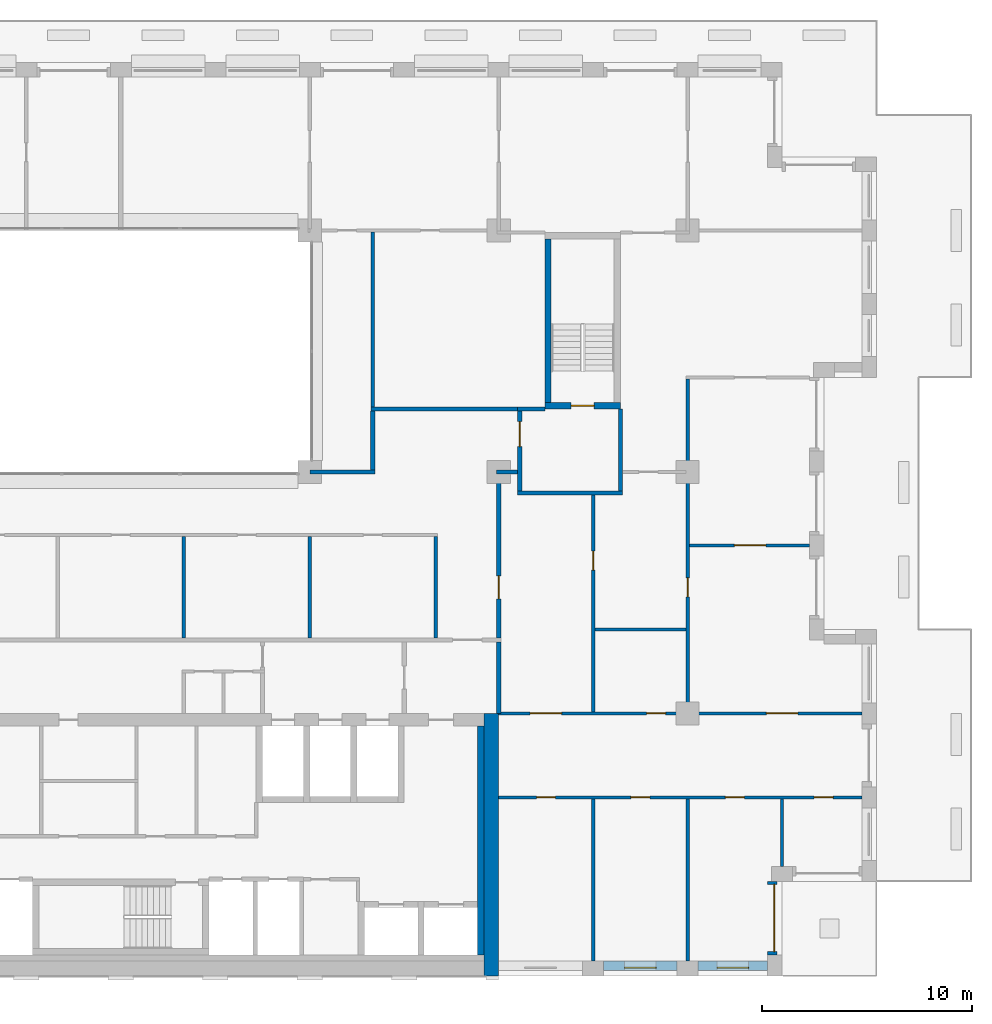
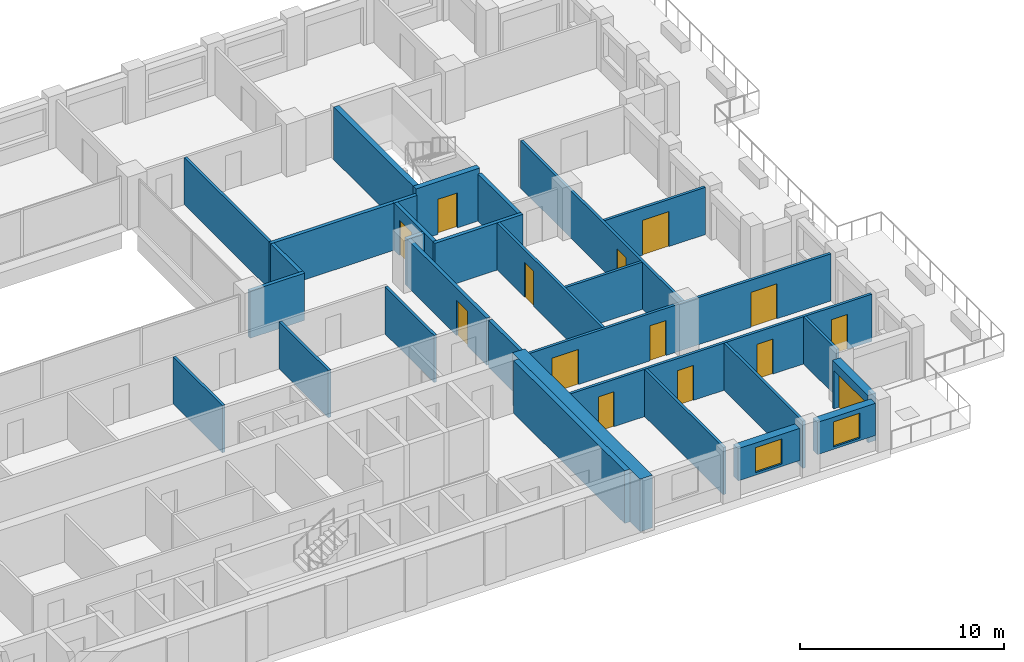
# One storey, part 11 of 17: 30 walls, 14 doors, 2 windows, 16 openings.
"""IFC4 building model written with IfcOpenShell, lengths in metres."""

from ifc_helpers import new_model, si_unit, direction, frame, frame_2d, origin, place, context, subcontext, project, spatial, rectangle, extrude, material, layer, layer_set, type_object, element, fill, save


model = new_model("IFC4")

# Units and contexts
model_context = context("Model", 3, precision=1e-05, world=origin(), true_north=direction((0.0, 1.0)))
body_context = subcontext(model_context, "Body", "Model", "MODEL_VIEW")
ifc_project = project(units=[si_unit("LENGTHUNIT", "METRE"), si_unit("AREAUNIT", "SQUARE_METRE"), si_unit("VOLUMEUNIT", "CUBIC_METRE"), si_unit("PLANEANGLEUNIT", "RADIAN"), si_unit("MASSUNIT", "GRAM", prefix="KILO")], contexts=[model_context])

# Site, building, storey
site_placement = place(None, origin())
site = spatial("IfcSite", under=ifc_project, at=site_placement, CompositionType="ELEMENT")
building_placement = place(site_placement, origin())
building = spatial("IfcBuilding", under=site, at=building_placement, Name="Brigalow Station Residences", CompositionType="ELEMENT")
storey_placement = place(building_placement, frame((0.0, 0.0, 141.300048828125)))
storey = spatial("IfcBuildingStorey", under=building, at=storey_placement, Name="L40", CompositionType="ELEMENT", Elevation=141.300048828125)

# Wall, opening, window
ifc_material_1 = material(Name="Clay brick masonry", Category="masonry")
ifc_layer_1 = layer(ifc_material_1, 0.449951171875)
ifc_layer_set_1 = layer_set([ifc_layer_1], Name="BRICK INFILL WALL 450")
wall_type_1 = type_object("IfcWallType", Name="BRICK INFILL WALL 450", PredefinedType="SOLIDWALL", material=ifc_layer_set_1)
wall_1_placement = place(storey_placement, frame((59.0, 0.47509765625, 0.89990234375), z_axis=(0.0, 0.0, 1.0), x_axis=(1.0, 0.0, 0.0)))
wall_1 = element("IfcWall", 1, at=wall_1_placement, inside=storey, type_object=wall_type_1, Name="L40/ewall/W-L40-5", PredefinedType="SOLIDWALL", context=body_context, shape_type="SweptSolid", body=[
    extrude(rectangle(XDim=3.5, YDim=0.449951171875, at=frame_2d((1.75, 0.0))), origin(), (0.0, 0.0, 1.0), 1.929931640625),
])
opening_1_placement = place(wall_1_placement, frame((1.0, 0.0, 0.14990234375)))
opening_1 = element("IfcOpeningElement", 2, at=opening_1_placement, cuts=wall_1, Name="Opening WT-1", PredefinedType="OPENING", context=body_context, shape_type="SweptSolid", body=[
    extrude(rectangle(XDim=1.5, YDim=1.5, at=frame_2d((0.75, 0.75))), frame((0.0, 0.23486328125, 0.0), z_axis=(0.0, -1.0, 0.0), x_axis=(1.0, 0.0, 0.0)), (0.0, 0.0, 1.0), 0.469970703125),
])
ifc_material_2 = material(Name="Anodised aluminium frame with double glazing", Category="aluminium")
window_type = type_object("IfcWindowType", Name="WINDOW 1500x1500", PartitioningType="SINGLE_PANEL", PredefinedType="WINDOW", material=ifc_material_2)
window_1_placement = place(opening_1_placement, origin())
window_1 = element("IfcWindow", 3, at=window_1_placement, inside=storey, type_object=window_type, Name="L40/window/W-L40-5", OverallHeight=1.5, OverallWidth=1.5, PartitioningType="SINGLE_PANEL", PredefinedType="WINDOW", context=body_context, shape_type="SweptSolid", body=[
    extrude(rectangle(XDim=1.5, YDim=1.5, at=frame_2d((0.75, 0.75))), frame((0.0, -0.06494140625, 0.0), z_axis=(0.0, -1.0, 0.0), x_axis=(1.0, 0.0, 0.0)), (0.0, 0.0, 1.0), 0.06005859375),
])
fill(opening_1, window_1)

wall_2_placement = place(storey_placement, frame((63.5, 0.47509765625, 0.89990234375), z_axis=(0.0, 0.0, 1.0), x_axis=(1.0, 0.0, 0.0)))
wall_2 = element("IfcWall", 4, at=wall_2_placement, inside=storey, type_object=wall_type_1, Name="L40/ewall/W-L40-6", PredefinedType="SOLIDWALL", context=body_context, shape_type="SweptSolid", body=[
    extrude(rectangle(XDim=3.300048828125, YDim=0.449951171875, at=frame_2d((1.64990234375, 0.0))), origin(), (0.0, 0.0, 1.0), 1.929931640625),
])
opening_2_placement = place(wall_2_placement, frame((0.89990234375, 0.0, 0.14990234375)))
opening_2 = element("IfcOpeningElement", 5, at=opening_2_placement, cuts=wall_2, Name="Opening WT-1", PredefinedType="OPENING", context=body_context, shape_type="SweptSolid", body=[
    extrude(rectangle(XDim=1.5, YDim=1.5, at=frame_2d((0.75, 0.75))), frame((0.0, 0.23486328125, 0.0), z_axis=(0.0, -1.0, 0.0), x_axis=(1.0, 0.0, 0.0)), (0.0, 0.0, 1.0), 0.469970703125),
])
window_2_placement = place(opening_2_placement, origin())
window_2 = element("IfcWindow", 6, at=window_2_placement, inside=storey, type_object=window_type, Name="L40/window/W-L40-6", OverallHeight=1.5, OverallWidth=1.5, PartitioningType="SINGLE_PANEL", PredefinedType="WINDOW", context=body_context, shape_type="SweptSolid", body=[
    extrude(rectangle(XDim=1.5, YDim=1.5, at=frame_2d((0.75, 0.75))), frame((0.0, -0.06494140625, 0.0), z_axis=(0.0, -1.0, 0.0), x_axis=(1.0, 0.0, 0.0)), (0.0, 0.0, 1.0), 0.06005859375),
])
fill(opening_2, window_2)

# Wall, opening, door
wall_3_placement = place(storey_placement, frame((67.02490234375, 1.0, 0.0), z_axis=(0.0, 0.0, 1.0), x_axis=(0.0, 1.0, 0.0)))
wall_3 = element("IfcWall", 7, at=wall_3_placement, inside=storey, type_object=wall_type_1, Name="L40/ewall/W-L40-7", PredefinedType="SOLIDWALL", context=body_context, shape_type="SweptSolid", body=[
    extrude(rectangle(XDim=3.5, YDim=0.449951171875, at=frame_2d((1.75, 0.0))), origin(), (0.0, 0.0, 1.0), 2.829833984375),
])
opening_3_placement = place(wall_3_placement, frame((0.14990234375, 0.0, 0.0)))
opening_3 = element("IfcOpeningElement", 8, at=opening_3_placement, cuts=wall_3, Name="Opening D-B3200", PredefinedType="OPENING", context=body_context, shape_type="SweptSolid", body=[
    extrude(rectangle(XDim=3.199951171875, YDim=2.300048828125, at=frame_2d((1.60009765625, 1.14990234375))), frame((0.0, 0.23486328125, 0.0), z_axis=(0.0, -1.0, 0.0), x_axis=(1.0, 0.0, 0.0)), (0.0, 0.0, 1.0), 0.469970703125),
])
ifc_material_3 = material(Name="Anodised aluminium frame with double glazing", Category="aluminium")
door_type_1 = type_object("IfcDoorType", Name="BALCONY SLIDING DOOR 3200x2300", OperationType="SLIDING_TO_LEFT", PredefinedType="DOOR", material=ifc_material_3)
door_1_placement = place(opening_3_placement, origin())
door_1 = element("IfcDoor", 9, at=door_1_placement, inside=storey, type_object=door_type_1, Name="L40/balcony-door/W-L40-7", OperationType="SLIDING_TO_LEFT", OverallHeight=2.300048828125, OverallWidth=3.199951171875, PredefinedType="DOOR", context=body_context, shape_type="SweptSolid", body=[
    extrude(rectangle(XDim=3.199951171875, YDim=2.300048828125, at=frame_2d((1.60009765625, 1.14990234375))), frame((0.0, -0.06982421875, 0.0), z_axis=(0.0, -1.0, 0.0), x_axis=(1.0, 0.0, 0.0)), (0.0, 0.0, 1.0), 0.050048828125),
])
fill(opening_3, door_1)

# Wall
ifc_material_4 = material(Name="Concrete C65", Category="concrete")
ifc_layer_2 = layer(ifc_material_4, 0.300048828125)
ifc_layer_set_2 = layer_set([ifc_layer_2], Name="CORE SHEAR WALL 300 C65")
wall_type_2 = type_object("IfcWallType", Name="CORE SHEAR WALL 300 C65", PredefinedType="SHEAR", material=ifc_layer_set_2)
wall_4_placement = place(storey_placement, frame((53.14990234375, 1.0, 0.0), z_axis=(0.0, 0.0, 1.0), x_axis=(0.0, 1.0, 0.0)))
element("IfcWall", 10, at=wall_4_placement, inside=storey, type_object=wall_type_2, Name="CORE WALL LIN-E L40", PredefinedType="SHEAR", context=body_context, shape_type="SweptSolid", body=[
    extrude(rectangle(XDim=10.89990234375, YDim=0.300048828125, at=frame_2d((5.449951171875, 0.0))), origin(), (0.0, 0.0, 1.0), 3.14990234375),
])

# Wall, opening, door
wall_5_placement = place(storey_placement, frame((56.199951171875, 27.14990234375, 0.0), z_axis=(0.0, 0.0, 1.0), x_axis=(1.0, 0.0, 0.0)))
wall_5 = element("IfcWall", 11, at=wall_5_placement, inside=storey, type_object=wall_type_2, Name="CORE WALL ST-S3-S L40", PredefinedType="SHEAR", context=body_context, shape_type="SweptSolid", body=[
    extrude(rectangle(XDim=3.60009765625, YDim=0.300048828125, at=frame_2d((1.800048828125, 0.0))), origin(), (0.0, 0.0, 1.0), 3.14990234375),
])
opening_4_placement = place(wall_5_placement, frame((1.25, 0.0, 0.0)))
opening_4 = element("IfcOpeningElement", 12, at=opening_4_placement, cuts=wall_5, Name="Opening D-5018", PredefinedType="OPENING", context=body_context, shape_type="SweptSolid", body=[
    extrude(rectangle(XDim=1.10009765625, YDim=2.10009765625, at=frame_2d((0.550048828125, 1.050048828125))), frame((0.0, 0.16015625, 0.0), z_axis=(0.0, -1.0, 0.0), x_axis=(1.0, 0.0, 0.0)), (0.0, 0.0, 1.0), 0.320068359375),
])
ifc_material_5 = material(Name="Steel fire door leaf in steel frame", Category="steel")
door_type_2 = type_object("IfcDoorType", Name="STAIR DOOR 1100 x 2100 FD60S", OperationType="SINGLE_SWING_LEFT", PredefinedType="DOOR", material=ifc_material_5)
door_2_placement = place(opening_4_placement, origin())
door_2 = element("IfcDoor", 13, at=door_2_placement, inside=storey, type_object=door_type_2, Name="D-5018", OperationType="SINGLE_SWING_LEFT", OverallHeight=2.10009765625, OverallWidth=1.10009765625, PredefinedType="DOOR", context=body_context, shape_type="SweptSolid", body=[
    extrude(rectangle(XDim=1.10009765625, YDim=2.10009765625, at=frame_2d((0.550048828125, 1.050048828125))), frame((0.0, 0.02490234375, 0.0), z_axis=(0.0, -1.0, 0.0), x_axis=(1.0, 0.0, 0.0)), (0.0, 0.0, 1.0), 0.050048828125),
])
fill(opening_4, door_2)

# Walls
wall_6_placement = place(storey_placement, frame((56.35009765625, 27.300048828125, 0.0), z_axis=(0.0, 0.0, 1.0), x_axis=(0.0, 1.0, 0.0)))
element("IfcWall", 14, at=wall_6_placement, inside=storey, type_object=wall_type_2, Name="CORE WALL ST-S3-W L40", PredefinedType="SHEAR", context=body_context, shape_type="SweptSolid", body=[
    extrude(rectangle(XDim=7.800048828125, YDim=0.300048828125, at=frame_2d((3.89990234375, 0.0))), origin(), (0.0, 0.0, 1.0), 3.14990234375),
])
ifc_material_6 = material(Name="Concrete C65", Category="concrete")
ifc_layer_3 = layer(ifc_material_6, 0.699951171875)
ifc_layer_set_3 = layer_set([ifc_layer_3], Name="CORE SHEAR WALL 700 C65")
wall_type_3 = type_object("IfcWallType", Name="CORE SHEAR WALL 700 C65", PredefinedType="SHEAR", material=ifc_layer_set_3)
wall_7_placement = place(storey_placement, frame((53.64990234375, 0.0, 0.0), z_axis=(0.0, 0.0, 1.0), x_axis=(0.0, 1.0, 0.0)))
element("IfcWall", 15, at=wall_7_placement, inside=storey, type_object=wall_type_3, Name="CORE WALL OUT-E L40", PredefinedType="SHEAR", context=body_context, shape_type="SweptSolid", body=[
    extrude(rectangle(XDim=12.5, YDim=0.699951171875, at=frame_2d((6.25, 0.0))), origin(), (0.0, 0.0, 1.0), 3.14990234375),
])
ifc_material_7 = material(Name="Concrete blockwork", Category="masonry")
ifc_layer_4 = layer(ifc_material_7, 0.199951171875)
ifc_layer_set_4 = layer_set([ifc_layer_4], Name="FIRE RATED CORE PARTITION 200")
wall_type_4 = type_object("IfcWallType", Name="FIRE RATED CORE PARTITION 200", PredefinedType="PARTITIONING", material=ifc_layer_set_4)
wall_8_placement = place(storey_placement, frame((54.89990234375, 23.0, 0.0), z_axis=(0.0, 0.0, 1.0), x_axis=(1.0, 0.0, 0.0)))
element("IfcWall", 16, at=wall_8_placement, inside=storey, type_object=wall_type_4, Name="PW-5024", PredefinedType="PARTITIONING", context=body_context, shape_type="SweptSolid", body=[
    extrude(rectangle(XDim=5.0, YDim=0.199951171875, at=frame_2d((2.5, 0.0))), origin(), (0.0, 0.0, 1.0), 2.829833984375),
])
wall_9_placement = place(storey_placement, frame((54.89990234375, 27.0, 0.0), z_axis=(0.0, 0.0, 1.0), x_axis=(1.0, 0.0, 0.0)))
element("IfcWall", 17, at=wall_9_placement, inside=storey, type_object=wall_type_4, Name="PW-5026", PredefinedType="PARTITIONING", context=body_context, shape_type="SweptSolid", body=[
    extrude(rectangle(XDim=1.300048828125, YDim=0.199951171875, at=frame_2d((0.64990234375, 0.0))), origin(), (0.0, 0.0, 1.0), 2.829833984375),
])
wall_10_placement = place(storey_placement, frame((54.0, 12.5, 0.0), z_axis=(0.0, 0.0, 1.0), x_axis=(0.0, 1.0, 0.0)))
element("IfcWall", 18, at=wall_10_placement, inside=storey, type_object=wall_type_4, Name="PW-5016", PredefinedType="PARTITIONING", context=body_context, shape_type="SweptSolid", body=[
    extrude(rectangle(XDim=3.39990234375, YDim=0.199951171875, at=frame_2d((1.699951171875, 0.0))), origin(), (0.0, 0.0, 1.0), 2.829833984375),
])

# Wall, opening, door
wall_11_placement = place(storey_placement, frame((55.0, 23.10009765625, 0.0), z_axis=(0.0, 0.0, 1.0), x_axis=(0.0, 1.0, 0.0)))
wall_11 = element("IfcWall", 19, at=wall_11_placement, inside=storey, type_object=wall_type_4, Name="PW-5036", PredefinedType="PARTITIONING", context=body_context, shape_type="SweptSolid", body=[
    extrude(rectangle(XDim=3.7998046875, YDim=0.199951171875, at=frame_2d((1.89990234375, 0.0))), origin(), (0.0, 0.0, 1.0), 2.829833984375),
])
opening_5_placement = place(wall_11_placement, frame((2.10009765625, 0.0, 0.0)))
opening_5 = element("IfcOpeningElement", 20, at=opening_5_placement, cuts=wall_11, Name="Opening D-5019", PredefinedType="OPENING", context=body_context, shape_type="SweptSolid", body=[
    extrude(rectangle(XDim=1.199951171875, YDim=2.10009765625, at=frame_2d((0.60009765625, 1.050048828125))), frame((0.0, 0.10986328125, 0.0), z_axis=(0.0, -1.0, 0.0), x_axis=(1.0, 0.0, 0.0)), (0.0, 0.0, 1.0), 0.219970703125),
])
ifc_material_8 = material(Name="Steel fire door leaf in steel frame", Category="steel")
door_type_3 = type_object("IfcDoorType", Name="STAIR LOBBY DOOR 1200 x 2100 FD60S", OperationType="SINGLE_SWING_LEFT", PredefinedType="DOOR", material=ifc_material_8)
door_3_placement = place(opening_5_placement, frame((1.199951171875, 0.0, 0.0), z_axis=(0.0, 0.0, 1.0), x_axis=(-1.0, 0.0, 0.0)))
door_3 = element("IfcDoor", 21, at=door_3_placement, inside=storey, type_object=door_type_3, Name="D-5019", OperationType="SINGLE_SWING_LEFT", OverallHeight=2.10009765625, OverallWidth=1.199951171875, PredefinedType="DOOR", context=body_context, shape_type="SweptSolid", body=[
    extrude(rectangle(XDim=1.199951171875, YDim=2.10009765625, at=frame_2d((0.60009765625, 1.050048828125))), frame((0.0, 0.02490234375, 0.0), z_axis=(0.0, -1.0, 0.0), x_axis=(1.0, 0.0, 0.0)), (0.0, 0.0, 1.0), 0.050048828125),
])
fill(opening_5, door_3)

# Wall
wall_12_placement = place(storey_placement, frame((59.800048828125, 23.10009765625, 0.0), z_axis=(0.0, 0.0, 1.0), x_axis=(0.0, 1.0, 0.0)))
element("IfcWall", 22, at=wall_12_placement, inside=storey, type_object=wall_type_4, Name="PW-5037", PredefinedType="PARTITIONING", context=body_context, shape_type="SweptSolid", body=[
    extrude(rectangle(XDim=3.89990234375, YDim=0.199951171875, at=frame_2d((1.949951171875, 0.0))), origin(), (0.0, 0.0, 1.0), 2.829833984375),
])

# Wall, openings, doors
ifc_material_9 = material(Name="Plasterboard on steel stud partition", Category="steel")
ifc_layer_5 = layer(ifc_material_9, 0.14990234375)
ifc_layer_set_5 = layer_set([ifc_layer_5], Name="FLAT PARTITION 150")
wall_type_5 = type_object("IfcWallType", Name="FLAT PARTITION 150", PredefinedType="PARTITIONING", material=ifc_layer_set_5)
wall_13_placement = place(storey_placement, frame((54.0, 8.5, 0.0), z_axis=(0.0, 0.0, 1.0), x_axis=(1.0, 0.0, 0.0)))
wall_13 = element("IfcWall", 23, at=wall_13_placement, inside=storey, type_object=wall_type_5, Name="PW-3A10", PredefinedType="PARTITIONING", context=body_context, shape_type="SweptSolid", body=[
    extrude(rectangle(XDim=17.300048828125, YDim=0.14990234375, at=frame_2d((8.64990234375, 0.0))), origin(), (0.0, 0.0, 1.0), 2.829833984375),
])
opening_6_placement = place(wall_13_placement, frame((1.800048828125, 0.0, 0.0)))
opening_6 = element("IfcOpeningElement", 24, at=opening_6_placement, cuts=wall_13, Name="Opening D-3A21", PredefinedType="OPENING", context=body_context, shape_type="SweptSolid", body=[
    extrude(rectangle(XDim=0.89990234375, YDim=2.10009765625, at=frame_2d((0.449951171875, 1.050048828125))), frame((0.0, 0.0849609375, 0.0), z_axis=(0.0, -1.0, 0.0), x_axis=(1.0, 0.0, 0.0)), (0.0, 0.0, 1.0), 0.169921875),
])
opening_7_placement = place(wall_13_placement, frame((6.300048828125, 0.0, 0.0)))
opening_7 = element("IfcOpeningElement", 25, at=opening_7_placement, cuts=wall_13, Name="Opening D-3A22", PredefinedType="OPENING", context=body_context, shape_type="SweptSolid", body=[
    extrude(rectangle(XDim=0.89990234375, YDim=2.10009765625, at=frame_2d((0.449951171875, 1.050048828125))), frame((0.0, 0.0849609375, 0.0), z_axis=(0.0, -1.0, 0.0), x_axis=(1.0, 0.0, 0.0)), (0.0, 0.0, 1.0), 0.169921875),
])
opening_8_placement = place(wall_13_placement, frame((10.800048828125, 0.0, 0.0)))
opening_8 = element("IfcOpeningElement", 26, at=opening_8_placement, cuts=wall_13, Name="Opening D-3A23", PredefinedType="OPENING", context=body_context, shape_type="SweptSolid", body=[
    extrude(rectangle(XDim=0.89990234375, YDim=2.10009765625, at=frame_2d((0.449951171875, 1.050048828125))), frame((0.0, 0.0849609375, 0.0), z_axis=(0.0, -1.0, 0.0), x_axis=(1.0, 0.0, 0.0)), (0.0, 0.0, 1.0), 0.169921875),
])
opening_9_placement = place(wall_13_placement, frame((15.02490234375, 0.0, 0.0)))
opening_9 = element("IfcOpeningElement", 27, at=opening_9_placement, cuts=wall_13, Name="Opening D-3A24", PredefinedType="OPENING", context=body_context, shape_type="SweptSolid", body=[
    extrude(rectangle(XDim=0.89990234375, YDim=2.10009765625, at=frame_2d((0.449951171875, 1.050048828125))), frame((0.0, 0.0849609375, 0.0), z_axis=(0.0, -1.0, 0.0), x_axis=(1.0, 0.0, 0.0)), (0.0, 0.0, 1.0), 0.169921875),
])
ifc_material_10 = material(Name="Solid-core timber door leaf", Category="wood")
door_type_4 = type_object("IfcDoorType", Name="INTERNAL DOOR 900 x 2100", OperationType="SINGLE_SWING_LEFT", PredefinedType="DOOR", material=ifc_material_10)
door_4_placement = place(opening_6_placement, frame((0.89990234375, 0.0, 0.0), z_axis=(0.0, 0.0, 1.0), x_axis=(-1.0, 0.0, 0.0)))
door_4 = element("IfcDoor", 28, at=door_4_placement, inside=storey, type_object=door_type_4, Name="D-3A21", OperationType="SINGLE_SWING_LEFT", OverallHeight=2.10009765625, OverallWidth=0.89990234375, PredefinedType="DOOR", context=body_context, shape_type="SweptSolid", body=[
    extrude(rectangle(XDim=0.89990234375, YDim=2.10009765625, at=frame_2d((0.449951171875, 1.050048828125))), frame((0.0, 0.02490234375, 0.0), z_axis=(0.0, -1.0, 0.0), x_axis=(1.0, 0.0, 0.0)), (0.0, 0.0, 1.0), 0.050048828125),
])
fill(opening_6, door_4)
door_5_placement = place(opening_7_placement, frame((0.89990234375, 0.0, 0.0), z_axis=(0.0, 0.0, 1.0), x_axis=(-1.0, 0.0, 0.0)))
door_5 = element("IfcDoor", 29, at=door_5_placement, inside=storey, type_object=door_type_4, Name="D-3A22", OperationType="SINGLE_SWING_LEFT", OverallHeight=2.10009765625, OverallWidth=0.89990234375, PredefinedType="DOOR", context=body_context, shape_type="SweptSolid", body=[
    extrude(rectangle(XDim=0.89990234375, YDim=2.10009765625, at=frame_2d((0.449951171875, 1.050048828125))), frame((0.0, 0.02490234375, 0.0), z_axis=(0.0, -1.0, 0.0), x_axis=(1.0, 0.0, 0.0)), (0.0, 0.0, 1.0), 0.050048828125),
])
fill(opening_7, door_5)
door_6_placement = place(opening_8_placement, frame((0.89990234375, 0.0, 0.0), z_axis=(0.0, 0.0, 1.0), x_axis=(-1.0, 0.0, 0.0)))
door_6 = element("IfcDoor", 30, at=door_6_placement, inside=storey, type_object=door_type_4, Name="D-3A23", OperationType="SINGLE_SWING_LEFT", OverallHeight=2.10009765625, OverallWidth=0.89990234375, PredefinedType="DOOR", context=body_context, shape_type="SweptSolid", body=[
    extrude(rectangle(XDim=0.89990234375, YDim=2.10009765625, at=frame_2d((0.449951171875, 1.050048828125))), frame((0.0, 0.02490234375, 0.0), z_axis=(0.0, -1.0, 0.0), x_axis=(1.0, 0.0, 0.0)), (0.0, 0.0, 1.0), 0.050048828125),
])
fill(opening_8, door_6)
door_7_placement = place(opening_9_placement, frame((0.89990234375, 0.0, 0.0), z_axis=(0.0, 0.0, 1.0), x_axis=(-1.0, 0.0, 0.0)))
door_7 = element("IfcDoor", 31, at=door_7_placement, inside=storey, type_object=door_type_4, Name="D-3A24", OperationType="SINGLE_SWING_LEFT", OverallHeight=2.10009765625, OverallWidth=0.89990234375, PredefinedType="DOOR", context=body_context, shape_type="SweptSolid", body=[
    extrude(rectangle(XDim=0.89990234375, YDim=2.10009765625, at=frame_2d((0.449951171875, 1.050048828125))), frame((0.0, 0.02490234375, 0.0), z_axis=(0.0, -1.0, 0.0), x_axis=(1.0, 0.0, 0.0)), (0.0, 0.0, 1.0), 0.050048828125),
])
fill(opening_9, door_7)

wall_14_placement = place(storey_placement, frame((54.0, 12.5, 0.0), z_axis=(0.0, 0.0, 1.0), x_axis=(1.0, 0.0, 0.0)))
wall_14 = element("IfcWall", 32, at=wall_14_placement, inside=storey, type_object=wall_type_5, Name="PW-3A12", PredefinedType="PARTITIONING", context=body_context, shape_type="SweptSolid", body=[
    extrude(rectangle(XDim=17.300048828125, YDim=0.14990234375, at=frame_2d((8.64990234375, 0.0))), origin(), (0.0, 0.0, 1.0), 2.829833984375),
])
opening_10_placement = place(wall_14_placement, frame((1.5, 0.0, 0.0)))
opening_10 = element("IfcOpeningElement", 33, at=opening_10_placement, cuts=wall_14, Name="Opening D-3A20", PredefinedType="OPENING", context=body_context, shape_type="SweptSolid", body=[
    extrude(rectangle(XDim=1.5, YDim=2.10009765625, at=frame_2d((0.75, 1.050048828125))), frame((0.0, 0.0849609375, 0.0), z_axis=(0.0, -1.0, 0.0), x_axis=(1.0, 0.0, 0.0)), (0.0, 0.0, 1.0), 0.169921875),
])
opening_11_placement = place(wall_14_placement, frame((7.050048828125, 0.0, 0.0)))
opening_11 = element("IfcOpeningElement", 34, at=opening_11_placement, cuts=wall_14, Name="Opening D-3A25", PredefinedType="OPENING", context=body_context, shape_type="SweptSolid", body=[
    extrude(rectangle(XDim=0.89990234375, YDim=2.10009765625, at=frame_2d((0.449951171875, 1.050048828125))), frame((0.0, 0.0849609375, 0.0), z_axis=(0.0, -1.0, 0.0), x_axis=(1.0, 0.0, 0.0)), (0.0, 0.0, 1.0), 0.169921875),
])
opening_12_placement = place(wall_14_placement, frame((12.75, 0.0, 0.0)))
opening_12 = element("IfcOpeningElement", 35, at=opening_12_placement, cuts=wall_14, Name="Opening D-3A26", PredefinedType="OPENING", context=body_context, shape_type="SweptSolid", body=[
    extrude(rectangle(XDim=1.5, YDim=2.10009765625, at=frame_2d((0.75, 1.050048828125))), frame((0.0, 0.0849609375, 0.0), z_axis=(0.0, -1.0, 0.0), x_axis=(1.0, 0.0, 0.0)), (0.0, 0.0, 1.0), 0.169921875),
])
door_8_placement = place(opening_11_placement, origin())
door_8 = element("IfcDoor", 36, at=door_8_placement, inside=storey, type_object=door_type_4, Name="D-3A25", OperationType="SINGLE_SWING_RIGHT", OverallHeight=2.10009765625, OverallWidth=0.89990234375, PredefinedType="DOOR", context=body_context, shape_type="SweptSolid", body=[
    extrude(rectangle(XDim=0.89990234375, YDim=2.10009765625, at=frame_2d((0.449951171875, 1.050048828125))), frame((0.0, 0.02490234375, 0.0), z_axis=(0.0, -1.0, 0.0), x_axis=(1.0, 0.0, 0.0)), (0.0, 0.0, 1.0), 0.050048828125),
])
fill(opening_11, door_8)
ifc_material_11 = material(Name="Solid-core timber door leaf", Category="wood")
door_type_5 = type_object("IfcDoorType", Name="INTERNAL DOUBLE DOOR 1500 x 2100", OperationType="DOUBLE_DOOR_SINGLE_SWING", PredefinedType="DOOR", material=ifc_material_11)
door_9_placement = place(opening_10_placement, origin())
door_9 = element("IfcDoor", 37, at=door_9_placement, inside=storey, type_object=door_type_5, Name="D-3A20", OperationType="DOUBLE_DOOR_SINGLE_SWING", OverallHeight=2.10009765625, OverallWidth=1.5, PredefinedType="DOOR", context=body_context, shape_type="SweptSolid", body=[
    extrude(rectangle(XDim=1.5, YDim=2.10009765625, at=frame_2d((0.75, 1.050048828125))), frame((0.0, 0.02490234375, 0.0), z_axis=(0.0, -1.0, 0.0), x_axis=(1.0, 0.0, 0.0)), (0.0, 0.0, 1.0), 0.050048828125),
])
fill(opening_10, door_9)
door_10_placement = place(opening_12_placement, origin())
door_10 = element("IfcDoor", 38, at=door_10_placement, inside=storey, type_object=door_type_5, Name="D-3A26", OperationType="DOUBLE_DOOR_SINGLE_SWING", OverallHeight=2.10009765625, OverallWidth=1.5, PredefinedType="DOOR", context=body_context, shape_type="SweptSolid", body=[
    extrude(rectangle(XDim=1.5, YDim=2.10009765625, at=frame_2d((0.75, 1.050048828125))), frame((0.0, 0.02490234375, 0.0), z_axis=(0.0, -1.0, 0.0), x_axis=(1.0, 0.0, 0.0)), (0.0, 0.0, 1.0), 0.050048828125),
])
fill(opening_12, door_10)

# Wall
wall_15_placement = place(storey_placement, frame((58.574951171875, 16.5, 0.0), z_axis=(0.0, 0.0, 1.0), x_axis=(1.0, 0.0, 0.0)))
element("IfcWall", 39, at=wall_15_placement, inside=storey, type_object=wall_type_5, Name="PW-3A15", PredefinedType="PARTITIONING", context=body_context, shape_type="SweptSolid", body=[
    extrude(rectangle(XDim=4.35009765625, YDim=0.14990234375, at=frame_2d((2.175048828125, 0.0))), origin(), (0.0, 0.0, 1.0), 2.829833984375),
])

# Wall, opening, door
wall_16_placement = place(storey_placement, frame((63.074951171875, 20.5, 0.0), z_axis=(0.0, 0.0, 1.0), x_axis=(1.0, 0.0, 0.0)))
wall_16 = element("IfcWall", 40, at=wall_16_placement, inside=storey, type_object=wall_type_5, Name="PW-3A26", PredefinedType="PARTITIONING", context=body_context, shape_type="SweptSolid", body=[
    extrude(rectangle(XDim=5.72509765625, YDim=0.14990234375, at=frame_2d((2.862548828125, 0.0))), origin(), (0.0, 0.0, 1.0), 2.829833984375),
])
opening_13_placement = place(wall_16_placement, frame((2.14990234375, 0.0, 0.0)))
opening_13 = element("IfcOpeningElement", 41, at=opening_13_placement, cuts=wall_16, Name="Opening D-3A28", PredefinedType="OPENING", context=body_context, shape_type="SweptSolid", body=[
    extrude(rectangle(XDim=1.5, YDim=2.10009765625, at=frame_2d((0.75, 1.050048828125))), frame((0.0, 0.0849609375, 0.0), z_axis=(0.0, -1.0, 0.0), x_axis=(1.0, 0.0, 0.0)), (0.0, 0.0, 1.0), 0.169921875),
])
door_11_placement = place(opening_13_placement, origin())
door_11 = element("IfcDoor", 42, at=door_11_placement, inside=storey, type_object=door_type_5, Name="D-3A28", OperationType="DOUBLE_DOOR_SINGLE_SWING", OverallHeight=2.10009765625, OverallWidth=1.5, PredefinedType="DOOR", context=body_context, shape_type="SweptSolid", body=[
    extrude(rectangle(XDim=1.5, YDim=2.10009765625, at=frame_2d((0.75, 1.050048828125))), frame((0.0, 0.02490234375, 0.0), z_axis=(0.0, -1.0, 0.0), x_axis=(1.0, 0.0, 0.0)), (0.0, 0.0, 1.0), 0.050048828125),
])
fill(opening_13, door_11)

# Walls
wall_17_placement = place(storey_placement, frame((51.0, 16.10009765625, 0.0), z_axis=(0.0, 0.0, 1.0), x_axis=(0.0, 1.0, 0.0)))
element("IfcWall", 43, at=wall_17_placement, inside=storey, type_object=wall_type_5, Name="PW-3A34", PredefinedType="PARTITIONING", context=body_context, shape_type="SweptSolid", body=[
    extrude(rectangle(XDim=4.824951171875, YDim=0.14990234375, at=frame_2d((2.41259765625, 0.0))), origin(), (0.0, 0.0, 1.0), 2.829833984375),
])
wall_18_placement = place(storey_placement, frame((48.0, 27.10009765625, 0.0), z_axis=(0.0, 0.0, 1.0), x_axis=(0.0, 1.0, 0.0)))
element("IfcWall", 44, at=wall_18_placement, inside=storey, type_object=wall_type_5, Name="PW-3A36", PredefinedType="PARTITIONING", context=body_context, shape_type="SweptSolid", body=[
    extrude(rectangle(XDim=8.324951171875, YDim=0.14990234375, at=frame_2d((4.16259765625, 0.0))), origin(), (0.0, 0.0, 1.0), 2.829833984375),
])
wall_19_placement = place(storey_placement, frame((58.5, 0.699951171875, 0.0), z_axis=(0.0, 0.0, 1.0), x_axis=(0.0, 1.0, 0.0)))
element("IfcWall", 45, at=wall_19_placement, inside=storey, type_object=wall_type_5, Name="PW-3A45", PredefinedType="PARTITIONING", context=body_context, shape_type="SweptSolid", body=[
    extrude(rectangle(XDim=7.72509765625, YDim=0.14990234375, at=frame_2d((3.862548828125, 0.0))), origin(), (0.0, 0.0, 1.0), 2.829833984375),
])

# Wall, opening, door
wall_20_placement = place(storey_placement, frame((58.5, 12.574951171875, 0.0), z_axis=(0.0, 0.0, 1.0), x_axis=(0.0, 1.0, 0.0)))
wall_20 = element("IfcWall", 46, at=wall_20_placement, inside=storey, type_object=wall_type_5, Name="PW-3A46", PredefinedType="PARTITIONING", context=body_context, shape_type="SweptSolid", body=[
    extrude(rectangle(XDim=10.324951171875, YDim=0.14990234375, at=frame_2d((5.16259765625, 0.0))), origin(), (0.0, 0.0, 1.0), 2.829833984375),
])
opening_14_placement = place(wall_20_placement, frame((6.75, 0.0, 0.0)))
opening_14 = element("IfcOpeningElement", 47, at=opening_14_placement, cuts=wall_20, Name="Opening D-3A19", PredefinedType="OPENING", context=body_context, shape_type="SweptSolid", body=[
    extrude(rectangle(XDim=0.89990234375, YDim=2.10009765625, at=frame_2d((0.449951171875, 1.050048828125))), frame((0.0, 0.0849609375, 0.0), z_axis=(0.0, -1.0, 0.0), x_axis=(1.0, 0.0, 0.0)), (0.0, 0.0, 1.0), 0.169921875),
])
door_12_placement = place(opening_14_placement, frame((0.89990234375, 0.0, 0.0), z_axis=(0.0, 0.0, 1.0), x_axis=(-1.0, 0.0, 0.0)))
door_12 = element("IfcDoor", 48, at=door_12_placement, inside=storey, type_object=door_type_4, Name="D-3A19", OperationType="SINGLE_SWING_LEFT", OverallHeight=2.10009765625, OverallWidth=0.89990234375, PredefinedType="DOOR", context=body_context, shape_type="SweptSolid", body=[
    extrude(rectangle(XDim=0.89990234375, YDim=2.10009765625, at=frame_2d((0.449951171875, 1.050048828125))), frame((0.0, 0.02490234375, 0.0), z_axis=(0.0, -1.0, 0.0), x_axis=(1.0, 0.0, 0.0)), (0.0, 0.0, 1.0), 0.050048828125),
])
fill(opening_14, door_12)

# Wall
wall_21_placement = place(storey_placement, frame((63.0, 0.699951171875, 0.0), z_axis=(0.0, 0.0, 1.0), x_axis=(0.0, 1.0, 0.0)))
element("IfcWall", 49, at=wall_21_placement, inside=storey, type_object=wall_type_5, Name="PW-3A47", PredefinedType="PARTITIONING", context=body_context, shape_type="SweptSolid", body=[
    extrude(rectangle(XDim=7.72509765625, YDim=0.14990234375, at=frame_2d((3.862548828125, 0.0))), origin(), (0.0, 0.0, 1.0), 2.829833984375),
])

# Wall, opening, door
wall_22_placement = place(storey_placement, frame((63.0, 12.574951171875, 0.0), z_axis=(0.0, 0.0, 1.0), x_axis=(0.0, 1.0, 0.0)))
wall_22 = element("IfcWall", 50, at=wall_22_placement, inside=storey, type_object=wall_type_5, Name="PW-3A48", PredefinedType="PARTITIONING", context=body_context, shape_type="SweptSolid", body=[
    extrude(rectangle(XDim=15.85009765625, YDim=0.14990234375, at=frame_2d((7.925048828125, 0.0))), origin(), (0.0, 0.0, 1.0), 2.829833984375),
])
opening_15_placement = place(wall_22_placement, frame((5.47509765625, 0.0, 0.0)))
opening_15 = element("IfcOpeningElement", 51, at=opening_15_placement, cuts=wall_22, Name="Opening D-3A27", PredefinedType="OPENING", context=body_context, shape_type="SweptSolid", body=[
    extrude(rectangle(XDim=0.89990234375, YDim=2.10009765625, at=frame_2d((0.449951171875, 1.050048828125))), frame((0.0, 0.0849609375, 0.0), z_axis=(0.0, -1.0, 0.0), x_axis=(1.0, 0.0, 0.0)), (0.0, 0.0, 1.0), 0.169921875),
])
door_13_placement = place(opening_15_placement, origin())
door_13 = element("IfcDoor", 52, at=door_13_placement, inside=storey, type_object=door_type_4, Name="D-3A27", OperationType="SINGLE_SWING_LEFT", OverallHeight=2.10009765625, OverallWidth=0.89990234375, PredefinedType="DOOR", context=body_context, shape_type="SweptSolid", body=[
    extrude(rectangle(XDim=0.89990234375, YDim=2.10009765625, at=frame_2d((0.449951171875, 1.050048828125))), frame((0.0, 0.02490234375, 0.0), z_axis=(0.0, -1.0, 0.0), x_axis=(1.0, 0.0, 0.0)), (0.0, 0.0, 1.0), 0.050048828125),
])
fill(opening_15, door_13)

# Walls
wall_23_placement = place(storey_placement, frame((67.5, 5.199951171875, 0.0), z_axis=(0.0, 0.0, 1.0), x_axis=(0.0, 1.0, 0.0)))
element("IfcWall", 53, at=wall_23_placement, inside=storey, type_object=wall_type_5, Name="PW-3A50", PredefinedType="PARTITIONING", context=body_context, shape_type="SweptSolid", body=[
    extrude(rectangle(XDim=3.22509765625, YDim=0.14990234375, at=frame_2d((1.612548828125, 0.0))), origin(), (0.0, 0.0, 1.0), 2.829833984375),
])
for number, where, z_axis, x_axis, name in (
    (54, (45.0, 16.10009765625, 0.0), (0.0, 0.0, 1.0), (0.0, 1.0, 0.0), "PW-3A51"),
    (55, (39.0, 16.10009765625, 0.0), (0.0, 0.0, 1.0), (0.0, 1.0, 0.0), "PW-3A55"),
):
    element("IfcWall", number, at=place(storey_placement, frame(where, z_axis=z_axis, x_axis=x_axis)), inside=storey, type_object=wall_type_5, Name=name, PredefinedType="PARTITIONING", context=body_context, shape_type="SweptSolid", body=[
        extrude(rectangle(XDim=4.824951171875, YDim=0.14990234375, at=frame_2d((2.41259765625, 0.0))), origin(), (0.0, 0.0, 1.0), 2.829833984375),
    ])
ifc_material_12 = material(Name="Plasterboard on steel stud partition", Category="steel")
ifc_layer_6 = layer(ifc_material_12, 0.199951171875)
ifc_layer_set_6 = layer_set([ifc_layer_6], Name="PARTY AND CORRIDOR WALL 200")
wall_type_6 = type_object("IfcWallType", Name="PARTY AND CORRIDOR WALL 200", PredefinedType="PARTITIONING", material=ifc_layer_set_6)
wall_24_placement = place(storey_placement, frame((45.0, 24.0, 0.0), z_axis=(0.0, 0.0, 1.0), x_axis=(1.0, 0.0, 0.0)))
element("IfcWall", 56, at=wall_24_placement, inside=storey, type_object=wall_type_6, Name="PW-3A04", PredefinedType="PARTITIONING", context=body_context, shape_type="SweptSolid", body=[
    extrude(rectangle(XDim=3.10009765625, YDim=0.199951171875, at=frame_2d((1.550048828125, 0.0))), origin(), (0.0, 0.0, 1.0), 2.829833984375),
])
wall_25_placement = place(storey_placement, frame((53.89990234375, 24.0, 0.0), z_axis=(0.0, 0.0, 1.0), x_axis=(1.0, 0.0, 0.0)))
element("IfcWall", 57, at=wall_25_placement, inside=storey, type_object=wall_type_6, Name="PW-3A05", PredefinedType="PARTITIONING", context=body_context, shape_type="SweptSolid", body=[
    extrude(rectangle(XDim=1.0, YDim=0.199951171875, at=frame_2d((0.5, 0.0))), origin(), (0.0, 0.0, 1.0), 2.829833984375),
])
wall_26_placement = place(storey_placement, frame((47.925048828125, 27.0, 0.0), z_axis=(0.0, 0.0, 1.0), x_axis=(1.0, 0.0, 0.0)))
element("IfcWall", 58, at=wall_26_placement, inside=storey, type_object=wall_type_6, Name="PW-3A08", PredefinedType="PARTITIONING", context=body_context, shape_type="SweptSolid", body=[
    extrude(rectangle(XDim=6.974853515625, YDim=0.199951171875, at=frame_2d((3.4873046875, 0.0))), origin(), (0.0, 0.0, 1.0), 2.829833984375),
])

# Wall, opening, door
wall_27_placement = place(storey_placement, frame((54.0, 16.10009765625, 0.0), z_axis=(0.0, 0.0, 1.0), x_axis=(0.0, 1.0, 0.0)))
wall_27 = element("IfcWall", 59, at=wall_27_placement, inside=storey, type_object=wall_type_6, Name="PW-3A32", PredefinedType="PARTITIONING", context=body_context, shape_type="SweptSolid", body=[
    extrude(rectangle(XDim=7.7998046875, YDim=0.199951171875, at=frame_2d((3.89990234375, 0.0))), origin(), (0.0, 0.0, 1.0), 2.829833984375),
])
opening_16_placement = place(wall_27_placement, frame((1.85009765625, 0.0, 0.0)))
opening_16 = element("IfcOpeningElement", 60, at=opening_16_placement, cuts=wall_27, Name="Opening D-3A18", PredefinedType="OPENING", context=body_context, shape_type="SweptSolid", body=[
    extrude(rectangle(XDim=1.10009765625, YDim=2.10009765625, at=frame_2d((0.550048828125, 1.050048828125))), frame((0.0, 0.10986328125, 0.0), z_axis=(0.0, -1.0, 0.0), x_axis=(1.0, 0.0, 0.0)), (0.0, 0.0, 1.0), 0.219970703125),
])
ifc_material_13 = material(Name="Solid-core timber door leaf", Category="wood")
door_type_6 = type_object("IfcDoorType", Name="FLAT ENTRANCE DOOR 1100 x 2100 FRL -/60/30", OperationType="SINGLE_SWING_LEFT", PredefinedType="DOOR", material=ifc_material_13)
door_14_placement = place(opening_16_placement, frame((1.10009765625, 0.0, 0.0), z_axis=(0.0, 0.0, 1.0), x_axis=(-1.0, 0.0, 0.0)))
door_14 = element("IfcDoor", 61, at=door_14_placement, inside=storey, type_object=door_type_6, Name="D-3A18", OperationType="SINGLE_SWING_LEFT", OverallHeight=2.10009765625, OverallWidth=1.10009765625, PredefinedType="DOOR", context=body_context, shape_type="SweptSolid", body=[
    extrude(rectangle(XDim=1.10009765625, YDim=2.10009765625, at=frame_2d((0.550048828125, 1.050048828125))), frame((0.0, 0.02490234375, 0.0), z_axis=(0.0, -1.0, 0.0), x_axis=(1.0, 0.0, 0.0)), (0.0, 0.0, 1.0), 0.050048828125),
])
fill(opening_16, door_14)

# Wall
wall_28_placement = place(storey_placement, frame((48.0, 24.10009765625, 0.0), z_axis=(0.0, 0.0, 1.0), x_axis=(0.0, 1.0, 0.0)))
element("IfcWall", 62, at=wall_28_placement, inside=storey, type_object=wall_type_6, Name="PW-3A37", PredefinedType="PARTITIONING", context=body_context, shape_type="SweptSolid", body=[
    extrude(rectangle(XDim=2.7998046875, YDim=0.199951171875, at=frame_2d((1.39990234375, 0.0))), origin(), (0.0, 0.0, 1.0), 2.829833984375),
])

save(model, "model.ifc")
